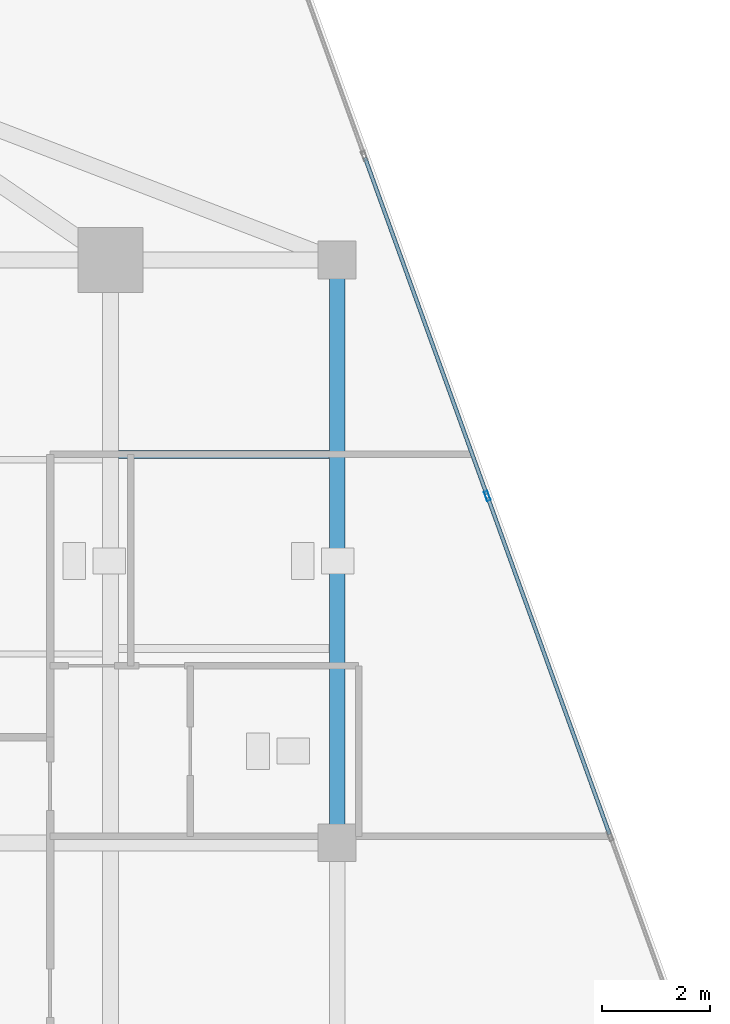
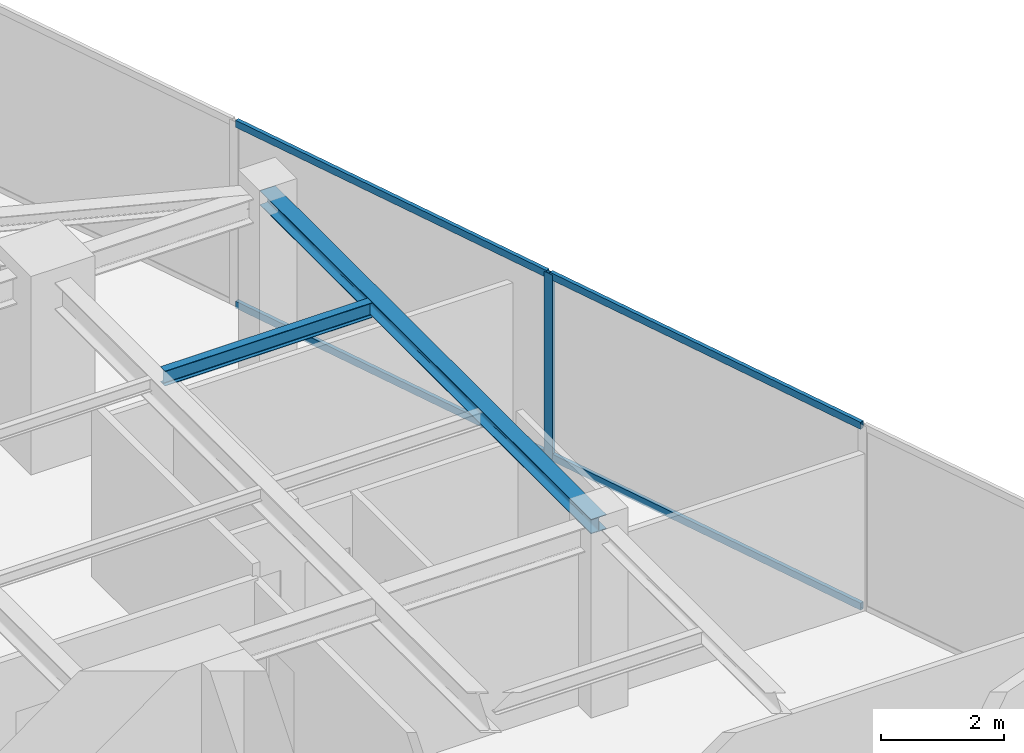
# One storey, part 12 of 21: 5 members, 2 beams, 1 element without a shape of its own.
"""IFC4 building model written with IfcOpenShell, lengths in metres."""

from ifc_helpers import new_model, si_unit, direction, frame, origin, origin_2d, place, context, subcontext, project, spatial, hollow_rectangle, i_section, extrude, source, transform, mapped, material, material_profile, profile_set, type_object, type_shapes, element, aggregate, save


model = new_model("IFC4")

# Units and contexts
model_context = context("Model", 3, precision=1e-05, world=origin(), true_north=direction((0.0, 1.0)))
body_context = subcontext(model_context, "Body", "Model", "MODEL_VIEW")
ifc_project = project(units=[si_unit("LENGTHUNIT", "METRE"), si_unit("AREAUNIT", "SQUARE_METRE"), si_unit("VOLUMEUNIT", "CUBIC_METRE"), si_unit("PLANEANGLEUNIT", "RADIAN"), si_unit("MASSUNIT", "GRAM", prefix="KILO")], contexts=[model_context])

# Site, building, storey
site_placement = place(None, origin())
site = spatial("IfcSite", under=ifc_project, at=site_placement, CompositionType="ELEMENT")
building_placement = place(site_placement, origin())
building = spatial("IfcBuilding", under=site, at=building_placement, Name="Krantzveldt Concourse Tower", CompositionType="ELEMENT")
storey_placement = place(building_placement, frame((0.0, 0.0, 335.60009765625)))
storey = spatial("IfcBuildingStorey", under=building, at=storey_placement, Name="L82", CompositionType="ELEMENT", Elevation=335.60009765625)

# Beams
ifc_material_1 = material(Name="Steel S355JR", Category="steel")
ifc_material_profile_1 = material_profile(ifc_material_1, i_section(OverallWidth=0.2900390625, OverallDepth=0.2900390625, WebThickness=0.008544921875, FlangeThickness=0.013916015625, FilletRadius=0.027099609375, at=origin_2d()), Name="Steel S355JR", Category="steel")
ifc_profile_set_1 = profile_set([ifc_material_profile_1], Name="Steel S355JR - HEA 300")
beam_type_1 = type_object("IfcBeamType", Name="BM-SP-HEA300", PredefinedType="SPANDREL", material=ifc_profile_set_1)
shared_shape_1 = source(origin(), body_context, "Body", "SweptSolid", [
    extrude(i_section(OverallWidth=0.2900390625, OverallDepth=0.2900390625, WebThickness=0.008544921875, FlangeThickness=0.013916015625, FilletRadius=0.027099609375, at=origin_2d()), origin(), (0.0, 0.0, 1.0), 10.800048828125),
])
type_shapes(beam_type_1, [shared_shape_1])
beam_1_placement = place(storey_placement, frame((51.0, 37.5, 3.52490234375), z_axis=(0.0, -1.0, 0.0), x_axis=(1.0, 0.0, 0.0)))
element("IfcBeam", 1, at=beam_1_placement, inside=storey, type_object=beam_type_1, Name="L82 Tower Girder SP-R06", PredefinedType="SPANDREL", context=body_context, shape_type="MappedRepresentation", body=[
    mapped(shared_shape_1, transform((0.0, 0.0, 0.0), x_axis=(1.0, 0.0, 0.0), y_axis=(0.0, 1.0, 0.0), z_axis=(0.0, 0.0, 1.0), scale=1.0)),
])
ifc_material_profile_2 = material_profile(ifc_material_1, i_section(OverallWidth=0.14990234375, OverallDepth=0.300048828125, WebThickness=0.007080078125, FlangeThickness=0.0107421875, FilletRadius=0.014892578125, at=origin_2d()), Name="Steel S355JR", Category="steel")
ifc_profile_set_2 = profile_set([ifc_material_profile_2], Name="Steel S355JR - IPE 300")
beam_type_2 = type_object("IfcBeamType", Name="BM-J-IPE300", PredefinedType="JOIST", material=ifc_profile_set_2)
shared_shape_2 = source(origin(), body_context, "Body", "SweptSolid", [
    extrude(i_section(OverallWidth=0.14990234375, OverallDepth=0.300048828125, WebThickness=0.007080078125, FlangeThickness=0.0107421875, FilletRadius=0.014892578125, at=origin_2d()), origin(), (0.0, 0.0, 1.0), 3.900146484375),
])
type_shapes(beam_type_2, [shared_shape_2])
beam_2_placement = place(storey_placement, frame((46.949951171875, 33.89990234375, 3.52001953125), z_axis=(1.0, 0.0, 0.0), x_axis=(0.0, 1.0, 0.0)))
element("IfcBeam", 2, at=beam_2_placement, inside=storey, type_object=beam_type_2, Name="L82 Secondary Floor Joist JE-4", PredefinedType="JOIST", context=body_context, shape_type="MappedRepresentation", body=[
    mapped(shared_shape_2, transform((0.0, 0.0, 0.0), x_axis=(1.0, 0.0, 0.0), y_axis=(0.0, 1.0, 0.0), z_axis=(0.0, 0.0, 1.0), scale=1.0)),
])

# Curtain wall, members
ifc_material_2 = material(Name="Anodised aluminium 6063-T6", Category="aluminium")
curtain_wall_type = type_object("IfcCurtainWallType", Name="CW4", PredefinedType="USERDEFINED", material=ifc_material_2)
curtain_wall_placement = place(storey_placement, origin())
curtain_wall = element("IfcCurtainWall", 3, at=curtain_wall_placement, inside=storey, type_object=curtain_wall_type, Name="CW-L82-F10", ObjectType="UNITISED CURTAIN WALL", PredefinedType="USERDEFINED")
ifc_material_profile_3 = material_profile(ifc_material_2, hollow_rectangle(XDim=0.070068359375, YDim=0.179931640625, WallThickness=0.0048828125, at=origin_2d()), Name="Anodised aluminium 6063-T6", Category="aluminium")
ifc_profile_set_3 = profile_set([ifc_material_profile_3], Name="Anodised aluminium 6063-T6 - ALU-MULL 180x70x5")
member_type_1 = type_object("IfcMemberType", Name="CW-MUL-180", PredefinedType="MULLION", material=ifc_profile_set_3)
shared_shape_3 = source(origin(), body_context, "Body", "SweptSolid", [
    extrude(hollow_rectangle(XDim=0.070068359375, YDim=0.179931640625, WallThickness=0.0048828125, at=origin_2d()), origin(), (0.0, 0.0, 1.0), 3.669921875),
])
type_shapes(member_type_1, [shared_shape_3])
member_1_placement = place(storey_placement, frame((53.78369140625, 33.12890625, 0.0), z_axis=(0.0, 0.0, 1.0), x_axis=(-0.940436624478, -0.339969050563, 0.0)))
member_1 = element("IfcMember", 4, at=member_1_placement, type_object=member_type_1, Name="CW-Z56 mullion 3", PredefinedType="MULLION", context=body_context, shape_type="MappedRepresentation", body=[
    mapped(shared_shape_3, transform((0.0, 0.0, 0.0), x_axis=(1.0, 0.0, 0.0), y_axis=(0.0, 1.0, 0.0), z_axis=(0.0, 0.0, 1.0), scale=1.0)),
])
ifc_material_profile_4 = material_profile(ifc_material_2, hollow_rectangle(XDim=0.070068359375, YDim=0.139892578125, WallThickness=0.0048828125, at=origin_2d()), Name="Anodised aluminium 6063-T6", Category="aluminium")
ifc_profile_set_4 = profile_set([ifc_material_profile_4], Name="Anodised aluminium 6063-T6 - ALU-TRAN 140x70x5")
member_type_2 = type_object("IfcMemberType", Name="CW-TRN-150", PredefinedType="USERDEFINED", material=ifc_profile_set_4)
shared_shape_4 = source(origin(), body_context, "Body", "SweptSolid", [
    extrude(hollow_rectangle(XDim=0.070068359375, YDim=0.139892578125, WallThickness=0.0048828125, at=origin_2d()), origin(), (0.0, 0.0, 1.0), 6.6298828125),
])
type_shapes(member_type_2, [shared_shape_4])
member_2_placement = place(storey_placement, frame((56.049560546875, 26.86083984375, 0.034912109375), z_axis=(-0.339956629823, 0.940441114499, 0.0), x_axis=(-0.940441114499, -0.339956629823, 0.0)))
member_2 = element("IfcMember", 5, at=member_2_placement, type_object=member_type_2, Name="CW-Z56 transom 2.1", ObjectType="TRANSOM", PredefinedType="USERDEFINED", context=body_context, shape_type="MappedRepresentation", body=[
    mapped(shared_shape_4, transform((0.0, 0.0, 0.0), x_axis=(1.0, 0.0, 0.0), y_axis=(0.0, 1.0, 0.0), z_axis=(0.0, 0.0, 1.0), scale=1.0)),
])
member_3_placement = place(storey_placement, frame((56.049560546875, 26.86083984375, 3.635009765625), z_axis=(-0.339956629823, 0.940441114499, 0.0), x_axis=(-0.940441114499, -0.339956629823, 0.0)))
member_3 = element("IfcMember", 6, at=member_3_placement, type_object=member_type_2, Name="CW-Z56 transom 2.2", ObjectType="TRANSOM", PredefinedType="USERDEFINED", context=body_context, shape_type="MappedRepresentation", body=[
    mapped(shared_shape_4, transform((0.0, 0.0, 0.0), x_axis=(1.0, 0.0, 0.0), y_axis=(0.0, 1.0, 0.0), z_axis=(0.0, 0.0, 1.0), scale=1.0)),
])
member_4_placement = place(storey_placement, frame((53.771728515625, 33.16162109375, 0.034912109375), z_axis=(-0.339956629823, 0.940441114499, 0.0), x_axis=(-0.940441114499, -0.339956629823, 0.0)))
member_4 = element("IfcMember", 7, at=member_4_placement, type_object=member_type_2, Name="CW-Z56 transom 3.1", ObjectType="TRANSOM", PredefinedType="USERDEFINED", context=body_context, shape_type="MappedRepresentation", body=[
    mapped(shared_shape_4, transform((0.0, 0.0, 0.0), x_axis=(1.0, 0.0, 0.0), y_axis=(0.0, 1.0, 0.0), z_axis=(0.0, 0.0, 1.0), scale=1.0)),
])
member_5_placement = place(storey_placement, frame((53.771728515625, 33.16162109375, 3.635009765625), z_axis=(-0.339956629823, 0.940441114499, 0.0), x_axis=(-0.940441114499, -0.339956629823, 0.0)))
member_5 = element("IfcMember", 8, at=member_5_placement, type_object=member_type_2, Name="CW-Z56 transom 3.2", ObjectType="TRANSOM", PredefinedType="USERDEFINED", context=body_context, shape_type="MappedRepresentation", body=[
    mapped(shared_shape_4, transform((0.0, 0.0, 0.0), x_axis=(1.0, 0.0, 0.0), y_axis=(0.0, 1.0, 0.0), z_axis=(0.0, 0.0, 1.0), scale=1.0)),
])
aggregate(curtain_wall, [member_1, member_2, member_3, member_4, member_5])

save(model, "model.ifc")
